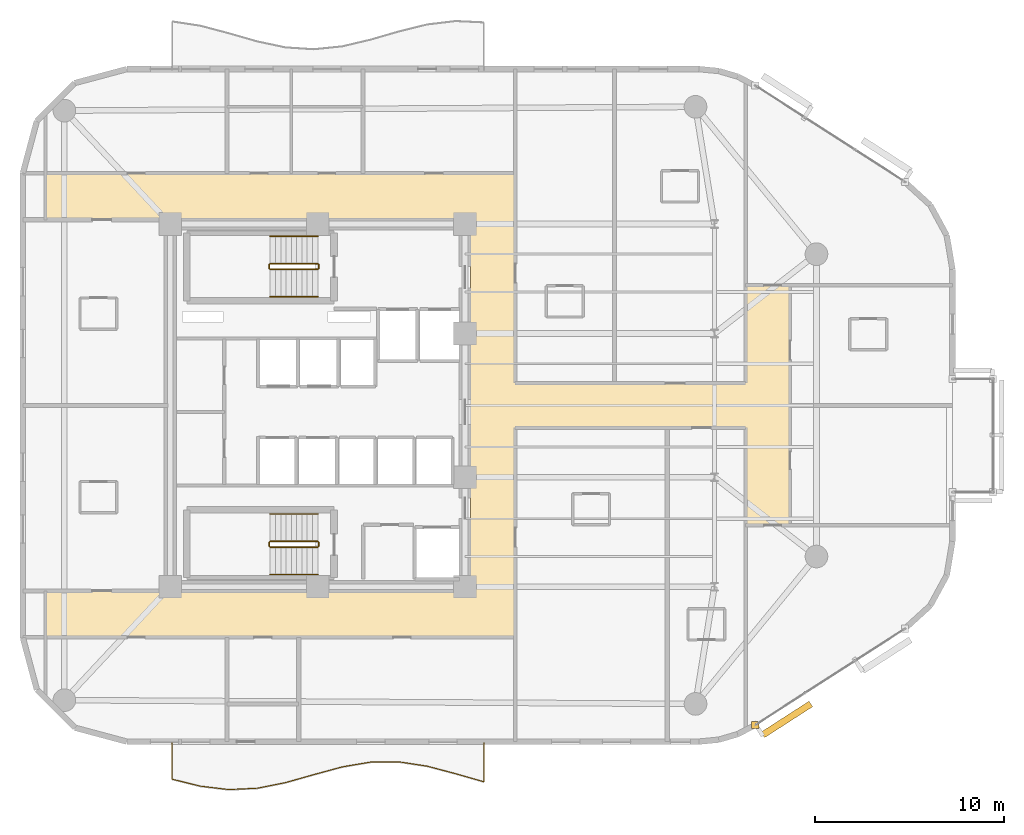
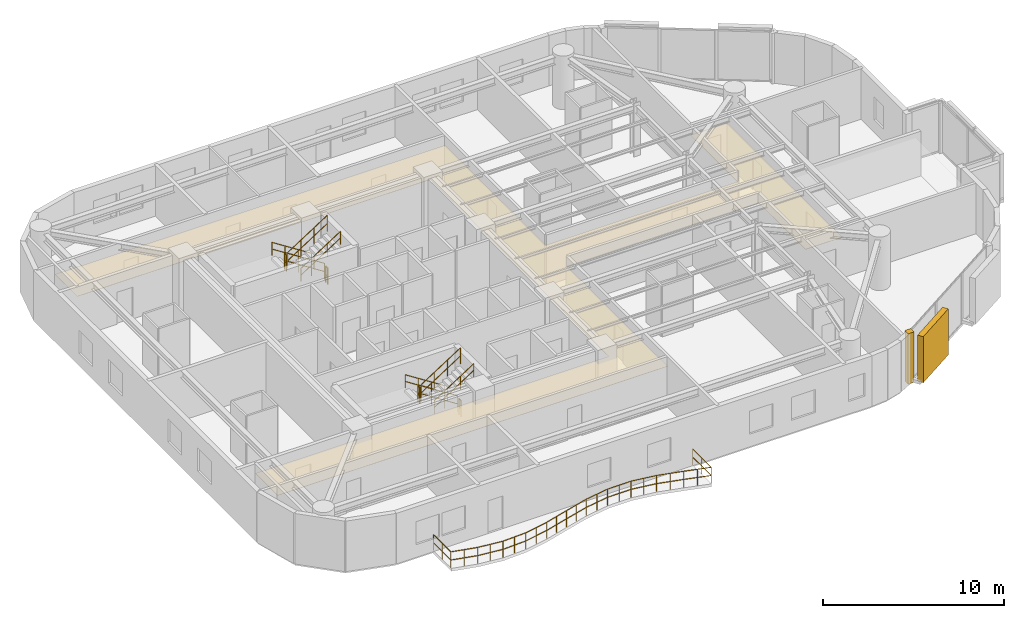
# One storey, part 15 of 16: 13 railings, 2 coverings, 1 shading device.
"""IFC4 building model written with IfcOpenShell, lengths in metres."""

from ifc_helpers import new_model, si_unit, direction, frame, origin, origin_2d, place, context, subcontext, project, spatial, polyline, rectangle, circle, outline, extrude, material, layer, layer_set, type_object, element, save


model = new_model("IFC4")

# Units and contexts
model_context = context("Model", 3, precision=1e-05, world=origin(), true_north=direction((0.0, 1.0)))
body_context = subcontext(model_context, "Body", "Model", "MODEL_VIEW")
ifc_project = project(units=[si_unit("LENGTHUNIT", "METRE"), si_unit("AREAUNIT", "SQUARE_METRE"), si_unit("VOLUMEUNIT", "CUBIC_METRE"), si_unit("PLANEANGLEUNIT", "RADIAN"), si_unit("MASSUNIT", "GRAM", prefix="KILO")], contexts=[model_context])

# Site, building, storey
site_placement = place(None, origin())
site = spatial("IfcSite", under=ifc_project, at=site_placement, CompositionType="ELEMENT")
building_placement = place(site_placement, origin())
building = spatial("IfcBuilding", under=site, at=building_placement, Name="An Khanh Terracotta Commons", CompositionType="ELEMENT")
storey_placement = place(building_placement, frame((0.0, 0.0, 151.0)))
storey = spatial("IfcBuildingStorey", under=building, at=storey_placement, Name="L39", CompositionType="ELEMENT", Elevation=151.0)

# Coverings
ifc_material_1 = material(Name="Perforated Mineral-Fibre Acoustic Tile")
ifc_layer_1 = layer(ifc_material_1, 0.02001953125, Name="Perforated Mineral-Fibre Acoustic Tile")
ifc_layer_set_1 = layer_set([ifc_layer_1], Name="Perforated Mineral-Fibre Acoustic Tile")
covering_type_1 = type_object("IfcCoveringType", Name="CEIL-ACOUSTIC-18", PredefinedType="CEILING", material=ifc_layer_set_1)
covering_1_placement = place(storey_placement, frame((0.0, 0.0, 2.64990234375)))
element("IfcCovering", 1, at=covering_1_placement, inside=storey, type_object=covering_type_1, Name="L39 Corridor Ceiling", PredefinedType="CEILING", context=body_context, shape_type="SweptSolid", body=[
    extrude(outline(polyline([(15.0, 11.719970703125), (15.0, 14.179931640625), (37.5, 14.179931640625), (37.5, 33.820068359375), (15.0, 33.820068359375), (15.0, 36.280029296875), (37.5, 36.280029296875), (39.85009765625, 36.280029296875), (39.85009765625, 33.820068359375), (39.85009765625, 25.179931640625), (52.050048828125, 25.179931640625), (52.050048828125, 30.35009765625), (54.39990234375, 30.35009765625), (54.39990234375, 25.179931640625), (54.39990234375, 22.820068359375), (54.39990234375, 17.64990234375), (52.050048828125, 17.64990234375), (52.050048828125, 22.820068359375), (39.85009765625, 22.820068359375), (39.85009765625, 14.179931640625), (39.85009765625, 11.719970703125), (37.5, 11.719970703125), (15.0, 11.719970703125)])), origin(), (0.0, 0.0, 1.0), 0.02001953125),
])
ifc_material_2 = material(Name="Fired Terracotta Rainscreen Cladding", Category="masonry")
ifc_layer_2 = layer(ifc_material_2, 0.080078125, Name="Fired Terracotta Rainscreen Cladding")
ifc_layer_set_2 = layer_set([ifc_layer_2], Name="Fired Terracotta Rainscreen Cladding")
covering_type_2 = type_object("IfcCoveringType", Name="COV-JAMB-TERRA", PredefinedType="CLADDING", material=ifc_layer_set_2)
covering_2_placement = place(storey_placement, frame((52.56005859375, 7.075927734375, 0.0), z_axis=(0.0, 0.0, 1.0), x_axis=(1.0, 0.0, 0.0)))
element("IfcCovering", 2, at=covering_2_placement, inside=storey, type_object=covering_type_2, Name="L39 CW-03 Curtain-Wall Jamb Closure JA", PredefinedType="CLADDING", context=body_context, shape_type="SweptSolid", body=[
    extrude(rectangle(XDim=0.3798828125, YDim=0.3798828125, at=origin_2d()), origin(), (0.0, 0.0, 1.0), 3.39990234375),
])

# Railings
ifc_material_3 = material(Name="Brushed Stainless Steel 316", Category="steel")
railing_type_1 = type_object("IfcRailingType", Name="RAIL-BALUSTRADE-1100", PredefinedType="BALUSTRADE", material=ifc_material_3)
railing_1_placement = place(storey_placement, frame((21.699951171875, 6.139892578125, 0.0)))
element("IfcRailing", 3, at=railing_1_placement, inside=storey, type_object=railing_type_1, Name="L39 S Wave Balcony Guard Balustrade", PredefinedType="BALUSTRADE", context=body_context, shape_type="SweptSolid", body=[
    extrude(circle(Radius=0.02392578125, at=origin_2d()), frame((0.0, 0.0, 1.076171875), z_axis=(0.0, -1.0, 0.0), x_axis=(1.0, 0.0, 0.0)), (0.0, 0.0, 1.0), 1.923828125),
    extrude(circle(Radius=0.02392578125, at=origin_2d()), frame((0.0, 0.0, 0.52587890625), z_axis=(0.0, -1.0, 0.0), x_axis=(1.0, 0.0, 0.0)), (0.0, 0.0, 1.0), 1.923828125),
    extrude(circle(Radius=0.02392578125, at=origin_2d()), frame((0.0, -1.923828125, 1.076171875), z_axis=(0.970881568768, -0.239559970419, 0.0), x_axis=(0.239559970419, 0.970881568768, 0.0)), (0.0, 0.0, 1.0), 1.544921875),
    extrude(circle(Radius=0.02392578125, at=origin_2d()), frame((0.0, -1.923828125, 0.52587890625), z_axis=(0.970881568768, -0.239559970419, 0.0), x_axis=(0.239559970419, 0.970881568768, 0.0)), (0.0, 0.0, 1.0), 1.544921875),
    extrude(circle(Radius=0.02392578125, at=origin_2d()), frame((1.5, -2.2939453125, 1.076171875), z_axis=(0.99288219023, -0.11910061429, 0.0), x_axis=(0.11910061429, 0.99288219023, 0.0)), (0.0, 0.0, 1.0), 1.5107421875),
    extrude(circle(Radius=0.02392578125, at=origin_2d()), frame((1.5, -2.2939453125, 0.52587890625), z_axis=(0.99288219023, -0.11910061429, 0.0), x_axis=(0.11910061429, 0.99288219023, 0.0)), (0.0, 0.0, 1.0), 1.5107421875),
    extrude(circle(Radius=0.02392578125, at=origin_2d()), frame((3.0, -2.473876953125, 1.076171875), z_axis=(0.998880243389, 0.047310245903, 0.0), x_axis=(-0.047310245903, 0.998880243389, 0.0)), (0.0, 0.0, 1.0), 1.501708984375),
    extrude(circle(Radius=0.02392578125, at=origin_2d()), frame((3.0, -2.473876953125, 0.52587890625), z_axis=(0.998880243389, 0.047310245903, 0.0), x_axis=(-0.047310245903, 0.998880243389, 0.0)), (0.0, 0.0, 1.0), 1.501708984375),
    extrude(circle(Radius=0.02392578125, at=origin_2d()), frame((4.5, -2.40283203125, 1.076171875), z_axis=(0.980849911242, 0.194765119094, 0.0), x_axis=(-0.194765119094, 0.980849911242, 0.0)), (0.0, 0.0, 1.0), 1.529296875),
    extrude(circle(Radius=0.02392578125, at=origin_2d()), frame((4.5, -2.40283203125, 0.52587890625), z_axis=(0.980849911242, 0.194765119094, 0.0), x_axis=(-0.194765119094, 0.980849911242, 0.0)), (0.0, 0.0, 1.0), 1.529296875),
    extrude(circle(Radius=0.02392578125, at=origin_2d()), frame((6.0, -2.10498046875, 1.076171875), z_axis=(0.962282666556, 0.272051593719, 0.0), x_axis=(-0.272051593719, 0.962282666556, 0.0)), (0.0, 0.0, 1.0), 1.558837890625),
    extrude(circle(Radius=0.02392578125, at=origin_2d()), frame((6.0, -2.10498046875, 0.52587890625), z_axis=(0.962282666556, 0.272051593719, 0.0), x_axis=(-0.272051593719, 0.962282666556, 0.0)), (0.0, 0.0, 1.0), 1.558837890625),
    extrude(circle(Radius=0.02392578125, at=origin_2d()), frame((7.5, -1.680908203125, 1.076171875), z_axis=(0.964948425307, 0.262439586375, 0.0), x_axis=(-0.262439586375, 0.964948425307, 0.0)), (0.0, 0.0, 1.0), 1.554443359375),
    extrude(circle(Radius=0.02392578125, at=origin_2d()), frame((7.5, -1.680908203125, 0.52587890625), z_axis=(0.964948425307, 0.262439586375, 0.0), x_axis=(-0.262439586375, 0.964948425307, 0.0)), (0.0, 0.0, 1.0), 1.554443359375),
    extrude(circle(Radius=0.02392578125, at=origin_2d()), frame((9.0, -1.27294921875, 1.076171875), z_axis=(0.986053503704, 0.166428626846, 0.0), x_axis=(-0.166428626846, 0.986053503704, 0.0)), (0.0, 0.0, 1.0), 1.521240234375),
    extrude(circle(Radius=0.02392578125, at=origin_2d()), frame((9.0, -1.27294921875, 0.52587890625), z_axis=(0.986053503704, 0.166428626846, 0.0), x_axis=(-0.166428626846, 0.986053503704, 0.0)), (0.0, 0.0, 1.0), 1.521240234375),
    extrude(circle(Radius=0.02392578125, at=origin_2d()), frame((10.5, -1.019775390625, 1.076171875), z_axis=(0.999956968224, 0.009276944529, 0.0), x_axis=(-0.009276944529, 0.999956968224, 0.0)), (0.0, 0.0, 1.0), 1.5),
    extrude(circle(Radius=0.02392578125, at=origin_2d()), frame((10.5, -1.019775390625, 0.52587890625), z_axis=(0.999956968224, 0.009276944529, 0.0), x_axis=(-0.009276944529, 0.999956968224, 0.0)), (0.0, 0.0, 1.0), 1.5),
    extrude(circle(Radius=0.02392578125, at=origin_2d()), frame((12.0, -1.005859375, 1.076171875), z_axis=(0.988545890906, -0.15092058035, 0.0), x_axis=(0.15092058035, 0.988545890906, 0.0)), (0.0, 0.0, 1.0), 1.517333984375),
    extrude(circle(Radius=0.02392578125, at=origin_2d()), frame((12.0, -1.005859375, 0.52587890625), z_axis=(0.988545890906, -0.15092058035, 0.0), x_axis=(0.15092058035, 0.988545890906, 0.0)), (0.0, 0.0, 1.0), 1.517333984375),
    extrude(circle(Radius=0.02392578125, at=origin_2d()), frame((13.5, -1.23486328125, 1.076171875), z_axis=(0.966718963822, -0.255840663277, 0.0), x_axis=(0.255840663277, 0.966718963822, 0.0)), (0.0, 0.0, 1.0), 1.5517578125),
    extrude(circle(Radius=0.02392578125, at=origin_2d()), frame((13.5, -1.23486328125, 0.52587890625), z_axis=(0.966718963822, -0.255840663277, 0.0), x_axis=(0.255840663277, 0.966718963822, 0.0)), (0.0, 0.0, 1.0), 1.5517578125),
    extrude(circle(Radius=0.02392578125, at=origin_2d()), frame((15.0, -1.6318359375, 1.076171875), z_axis=(0.961251897699, -0.275671524047, 0.0), x_axis=(0.275671524047, 0.961251897699, 0.0)), (0.0, 0.0, 1.0), 1.560546875),
    extrude(circle(Radius=0.02392578125, at=origin_2d()), frame((15.0, -1.6318359375, 0.52587890625), z_axis=(0.961251897699, -0.275671524047, 0.0), x_axis=(0.275671524047, 0.961251897699, 0.0)), (0.0, 0.0, 1.0), 1.560546875),
    extrude(circle(Radius=0.02392578125, at=origin_2d()), frame((16.5, -2.06201171875, 1.076171875), z_axis=(0.0, 1.0, 0.0), x_axis=(-1.0, 0.0, 0.0)), (0.0, 0.0, 1.0), 2.06201171875),
    extrude(circle(Radius=0.02392578125, at=origin_2d()), frame((16.5, -2.06201171875, 0.52587890625), z_axis=(0.0, 1.0, 0.0), x_axis=(-1.0, 0.0, 0.0)), (0.0, 0.0, 1.0), 2.06201171875),
    extrude(circle(Radius=0.02099609375, at=origin_2d()), origin(), (0.0, 0.0, 1.0), 1.052001953125),
    extrude(circle(Radius=0.02099609375, at=origin_2d()), frame((0.0, -0.9619140625, 0.0)), (0.0, 0.0, 1.0), 1.052001953125),
    extrude(circle(Radius=0.02099609375, at=origin_2d()), frame((0.0, -1.923828125, 0.0)), (0.0, 0.0, 1.0), 1.052001953125),
    extrude(circle(Radius=0.02099609375, at=origin_2d()), frame((0.75, -2.10888671875, 0.0)), (0.0, 0.0, 1.0), 1.052001953125),
    extrude(circle(Radius=0.02099609375, at=origin_2d()), frame((1.5, -2.2939453125, 0.0)), (0.0, 0.0, 1.0), 1.052001953125),
    extrude(circle(Radius=0.02099609375, at=origin_2d()), frame((2.25, -2.3837890625, 0.0)), (0.0, 0.0, 1.0), 1.052001953125),
    extrude(circle(Radius=0.02099609375, at=origin_2d()), frame((3.0, -2.473876953125, 0.0)), (0.0, 0.0, 1.0), 1.052001953125),
    extrude(circle(Radius=0.02099609375, at=origin_2d()), frame((3.75, -2.4384765625, 0.0)), (0.0, 0.0, 1.0), 1.052001953125),
    extrude(circle(Radius=0.02099609375, at=origin_2d()), frame((4.5, -2.40283203125, 0.0)), (0.0, 0.0, 1.0), 1.052001953125),
    extrude(circle(Radius=0.02099609375, at=origin_2d()), frame((5.25, -2.25390625, 0.0)), (0.0, 0.0, 1.0), 1.052001953125),
    extrude(circle(Radius=0.02099609375, at=origin_2d()), frame((6.0, -2.10498046875, 0.0)), (0.0, 0.0, 1.0), 1.052001953125),
    extrude(circle(Radius=0.02099609375, at=origin_2d()), frame((6.75, -1.89306640625, 0.0)), (0.0, 0.0, 1.0), 1.052001953125),
    extrude(circle(Radius=0.02099609375, at=origin_2d()), frame((7.5, -1.680908203125, 0.0)), (0.0, 0.0, 1.0), 1.052001953125),
    extrude(circle(Radius=0.02099609375, at=origin_2d()), frame((8.25, -1.47705078125, 0.0)), (0.0, 0.0, 1.0), 1.052001953125),
    extrude(circle(Radius=0.02099609375, at=origin_2d()), frame((9.0, -1.27294921875, 0.0)), (0.0, 0.0, 1.0), 1.052001953125),
    extrude(circle(Radius=0.02099609375, at=origin_2d()), frame((9.75, -1.146484375, 0.0)), (0.0, 0.0, 1.0), 1.052001953125),
    extrude(circle(Radius=0.02099609375, at=origin_2d()), frame((10.5, -1.019775390625, 0.0)), (0.0, 0.0, 1.0), 1.052001953125),
    extrude(circle(Radius=0.02099609375, at=origin_2d()), frame((11.25, -1.0126953125, 0.0)), (0.0, 0.0, 1.0), 1.052001953125),
    extrude(circle(Radius=0.02099609375, at=origin_2d()), frame((12.0, -1.005859375, 0.0)), (0.0, 0.0, 1.0), 1.052001953125),
    extrude(circle(Radius=0.02099609375, at=origin_2d()), frame((12.75, -1.120361328125, 0.0)), (0.0, 0.0, 1.0), 1.052001953125),
    extrude(circle(Radius=0.02099609375, at=origin_2d()), frame((13.5, -1.23486328125, 0.0)), (0.0, 0.0, 1.0), 1.052001953125),
    extrude(circle(Radius=0.02099609375, at=origin_2d()), frame((14.25, -1.433349609375, 0.0)), (0.0, 0.0, 1.0), 1.052001953125),
    extrude(circle(Radius=0.02099609375, at=origin_2d()), frame((15.0, -1.6318359375, 0.0)), (0.0, 0.0, 1.0), 1.052001953125),
    extrude(circle(Radius=0.02099609375, at=origin_2d()), frame((15.75, -1.846923828125, 0.0)), (0.0, 0.0, 1.0), 1.052001953125),
    extrude(circle(Radius=0.02099609375, at=origin_2d()), frame((16.5, -2.06201171875, 0.0)), (0.0, 0.0, 1.0), 1.052001953125),
    extrude(circle(Radius=0.02099609375, at=origin_2d()), frame((16.5, -1.031005859375, 0.0)), (0.0, 0.0, 1.0), 1.052001953125),
    extrude(circle(Radius=0.02099609375, at=origin_2d()), frame((16.5, 0.0, 0.0)), (0.0, 0.0, 1.0), 1.052001953125),
])
railing_type_2 = type_object("IfcRailingType", Name="RAIL-HANDRAIL-900", PredefinedType="HANDRAIL", material=ifc_material_3)
railing_2_placement = place(storey_placement, frame((29.409912109375, 32.949951171875, 0.179931640625)))
element("IfcRailing", 4, at=railing_2_placement, inside=storey, type_object=railing_type_2, Name="L39 ST-01 stair handrail 1", PredefinedType="HANDRAIL", context=body_context, shape_type="SweptSolid", body=[
    extrude(circle(Radius=0.02392578125, at=origin_2d()), frame((0.0, 0.0, 0.8759765625), z_axis=(-0.841162588446, 0.0, 0.540782303519), x_axis=(0.0, -1.0, 0.0)), (0.0, 0.0, 1.0), 2.995849609375),
    extrude(circle(Radius=0.02392578125, at=origin_2d()), frame((0.0, 0.0, 0.42578125), z_axis=(-0.841162588446, 0.0, 0.540782303519), x_axis=(0.0, -1.0, 0.0)), (0.0, 0.0, 1.0), 2.995849609375),
    extrude(circle(Radius=0.02099609375, at=origin_2d()), origin(), (0.0, 0.0, 1.0), 0.851806640625),
    extrude(circle(Radius=0.02099609375, at=origin_2d()), frame((-0.840087890625, 0.0, 0.5400390625)), (0.0, 0.0, 1.0), 0.851806640625),
    extrude(circle(Radius=0.02099609375, at=origin_2d()), frame((-1.679931640625, 0.0, 1.080078125)), (0.0, 0.0, 1.0), 0.851806640625),
    extrude(circle(Radius=0.02099609375, at=origin_2d()), frame((-2.52001953125, 0.0, 1.6201171875)), (0.0, 0.0, 1.0), 0.851806640625),
])
railing_3_placement = place(storey_placement, frame((26.889892578125, 29.75, 1.97998046875)))
element("IfcRailing", 5, at=railing_3_placement, inside=storey, type_object=railing_type_2, Name="L39 ST-01 stair handrail 2", PredefinedType="HANDRAIL", context=body_context, shape_type="SweptSolid", body=[
    extrude(circle(Radius=0.02392578125, at=origin_2d()), frame((0.0, 0.0, 0.8759765625), z_axis=(0.841162588446, 0.0, 0.540782303519), x_axis=(0.0, 1.0, 0.0)), (0.0, 0.0, 1.0), 2.995849609375),
    extrude(circle(Radius=0.02392578125, at=origin_2d()), frame((0.0, 0.0, 0.42578125), z_axis=(0.841162588446, 0.0, 0.540782303519), x_axis=(0.0, 1.0, 0.0)), (0.0, 0.0, 1.0), 2.995849609375),
    extrude(circle(Radius=0.02099609375, at=origin_2d()), origin(), (0.0, 0.0, 1.0), 0.851806640625),
    extrude(circle(Radius=0.02099609375, at=origin_2d()), frame((0.840087890625, 0.0, 0.5400390625)), (0.0, 0.0, 1.0), 0.851806640625),
    extrude(circle(Radius=0.02099609375, at=origin_2d()), frame((1.679931640625, 0.0, 1.080078125)), (0.0, 0.0, 1.0), 0.851806640625),
    extrude(circle(Radius=0.02099609375, at=origin_2d()), frame((2.52001953125, 0.0, 1.6201171875)), (0.0, 0.0, 1.0), 0.851806640625),
])
railing_4_placement = place(storey_placement, frame((29.409912109375, 18.25, 0.179931640625)))
element("IfcRailing", 6, at=railing_4_placement, inside=storey, type_object=railing_type_2, Name="L39 ST-02 stair handrail 1", PredefinedType="HANDRAIL", context=body_context, shape_type="SweptSolid", body=[
    extrude(circle(Radius=0.02392578125, at=origin_2d()), frame((0.0, 0.0, 0.8759765625), z_axis=(-0.841162588446, 0.0, 0.540782303519), x_axis=(0.0, -1.0, 0.0)), (0.0, 0.0, 1.0), 2.995849609375),
    extrude(circle(Radius=0.02392578125, at=origin_2d()), frame((0.0, 0.0, 0.42578125), z_axis=(-0.841162588446, 0.0, 0.540782303519), x_axis=(0.0, -1.0, 0.0)), (0.0, 0.0, 1.0), 2.995849609375),
    extrude(circle(Radius=0.02099609375, at=origin_2d()), origin(), (0.0, 0.0, 1.0), 0.851806640625),
    extrude(circle(Radius=0.02099609375, at=origin_2d()), frame((-0.840087890625, 0.0, 0.5400390625)), (0.0, 0.0, 1.0), 0.851806640625),
    extrude(circle(Radius=0.02099609375, at=origin_2d()), frame((-1.679931640625, 0.0, 1.080078125)), (0.0, 0.0, 1.0), 0.851806640625),
    extrude(circle(Radius=0.02099609375, at=origin_2d()), frame((-2.52001953125, 0.0, 1.6201171875)), (0.0, 0.0, 1.0), 0.851806640625),
])
railing_5_placement = place(storey_placement, frame((26.889892578125, 15.050048828125, 1.97998046875)))
element("IfcRailing", 7, at=railing_5_placement, inside=storey, type_object=railing_type_2, Name="L39 ST-02 stair handrail 2", PredefinedType="HANDRAIL", context=body_context, shape_type="SweptSolid", body=[
    extrude(circle(Radius=0.02392578125, at=origin_2d()), frame((0.0, 0.0, 0.8759765625), z_axis=(0.841162588446, 0.0, 0.540782303519), x_axis=(0.0, 1.0, 0.0)), (0.0, 0.0, 1.0), 2.995849609375),
    extrude(circle(Radius=0.02392578125, at=origin_2d()), frame((0.0, 0.0, 0.42578125), z_axis=(0.841162588446, 0.0, 0.540782303519), x_axis=(0.0, 1.0, 0.0)), (0.0, 0.0, 1.0), 2.995849609375),
    extrude(circle(Radius=0.02099609375, at=origin_2d()), origin(), (0.0, 0.0, 1.0), 0.851806640625),
    extrude(circle(Radius=0.02099609375, at=origin_2d()), frame((0.840087890625, 0.0, 0.5400390625)), (0.0, 0.0, 1.0), 0.851806640625),
    extrude(circle(Radius=0.02099609375, at=origin_2d()), frame((1.679931640625, 0.0, 1.080078125)), (0.0, 0.0, 1.0), 0.851806640625),
    extrude(circle(Radius=0.02099609375, at=origin_2d()), frame((2.52001953125, 0.0, 1.6201171875)), (0.0, 0.0, 1.0), 0.851806640625),
])
ifc_material_4 = material(Name="Powder-Coated Steel S355J2", Category="steel")
railing_type_3 = type_object("IfcRailingType", Name="RAIL-STAIR-GUARD-1100", PredefinedType="BALUSTRADE", material=ifc_material_4)
railing_6_placement = place(storey_placement, frame((29.409912109375, 31.5, 0.179931640625)))
element("IfcRailing", 8, at=railing_6_placement, inside=storey, type_object=railing_type_3, Name="L39 ST-01 stair guard 1", PredefinedType="BALUSTRADE", context=body_context, shape_type="SweptSolid", body=[
    extrude(circle(Radius=0.02392578125, at=origin_2d()), frame((0.0, 0.0, 1.076171875), z_axis=(-0.841162588446, 0.0, 0.540782303519), x_axis=(0.0, -1.0, 0.0)), (0.0, 0.0, 1.0), 2.995849609375),
    extrude(circle(Radius=0.02392578125, at=origin_2d()), frame((0.0, 0.0, 0.52587890625), z_axis=(-0.841162588446, 0.0, 0.540782303519), x_axis=(0.0, -1.0, 0.0)), (0.0, 0.0, 1.0), 2.995849609375),
    extrude(circle(Radius=0.02099609375, at=origin_2d()), origin(), (0.0, 0.0, 1.0), 1.052001953125),
    extrude(circle(Radius=0.02099609375, at=origin_2d()), frame((-0.840087890625, 0.0, 0.5400390625)), (0.0, 0.0, 1.0), 1.052001953125),
    extrude(circle(Radius=0.02099609375, at=origin_2d()), frame((-1.679931640625, 0.0, 1.080078125)), (0.0, 0.0, 1.0), 1.052001953125),
    extrude(circle(Radius=0.02099609375, at=origin_2d()), frame((-2.52001953125, 0.0, 1.6201171875)), (0.0, 0.0, 1.0), 1.052001953125),
])
railing_7_placement = place(storey_placement, frame((26.840087890625, 31.449951171875, 1.800048828125)))
element("IfcRailing", 9, at=railing_7_placement, inside=storey, type_object=railing_type_3, Name="L39 ST-01 stair guard 2", PredefinedType="BALUSTRADE", context=body_context, shape_type="SweptSolid", body=[
    extrude(circle(Radius=0.02392578125, at=origin_2d()), frame((0.0, 0.0, 1.076171875), z_axis=(0.0, -1.0, 0.0), x_axis=(1.0, 0.0, 0.0)), (0.0, 0.0, 1.0), 0.199951171875),
    extrude(circle(Radius=0.02392578125, at=origin_2d()), frame((0.0, 0.0, 0.52587890625), z_axis=(0.0, -1.0, 0.0), x_axis=(1.0, 0.0, 0.0)), (0.0, 0.0, 1.0), 0.199951171875),
    extrude(circle(Radius=0.02099609375, at=origin_2d()), origin(), (0.0, 0.0, 1.0), 1.052001953125),
    extrude(circle(Radius=0.02099609375, at=origin_2d()), frame((0.0, -0.199951171875, 0.0)), (0.0, 0.0, 1.0), 1.052001953125),
])
railing_8_placement = place(storey_placement, frame((26.889892578125, 31.199951171875, 1.97998046875)))
element("IfcRailing", 10, at=railing_8_placement, inside=storey, type_object=railing_type_3, Name="L39 ST-01 stair guard 3", PredefinedType="BALUSTRADE", context=body_context, shape_type="SweptSolid", body=[
    extrude(circle(Radius=0.02392578125, at=origin_2d()), frame((0.0, 0.0, 1.076171875), z_axis=(0.841162588446, 0.0, 0.540782303519), x_axis=(0.0, 1.0, 0.0)), (0.0, 0.0, 1.0), 2.995849609375),
    extrude(circle(Radius=0.02392578125, at=origin_2d()), frame((0.0, 0.0, 0.52587890625), z_axis=(0.841162588446, 0.0, 0.540782303519), x_axis=(0.0, 1.0, 0.0)), (0.0, 0.0, 1.0), 2.995849609375),
    extrude(circle(Radius=0.02099609375, at=origin_2d()), origin(), (0.0, 0.0, 1.0), 1.052001953125),
    extrude(circle(Radius=0.02099609375, at=origin_2d()), frame((0.840087890625, 0.0, 0.5400390625)), (0.0, 0.0, 1.0), 1.052001953125),
    extrude(circle(Radius=0.02099609375, at=origin_2d()), frame((1.679931640625, 0.0, 1.080078125)), (0.0, 0.0, 1.0), 1.052001953125),
    extrude(circle(Radius=0.02099609375, at=origin_2d()), frame((2.52001953125, 0.0, 1.6201171875)), (0.0, 0.0, 1.0), 1.052001953125),
])
railing_9_placement = place(storey_placement, frame((29.4599609375, 31.449951171875, 0.0)))
element("IfcRailing", 11, at=railing_9_placement, inside=storey, type_object=railing_type_3, Name="L39 ST-01 stair guard 4", PredefinedType="BALUSTRADE", context=body_context, shape_type="SweptSolid", body=[
    extrude(circle(Radius=0.02392578125, at=origin_2d()), frame((0.0, 0.0, 1.076171875), z_axis=(0.0, -1.0, 0.0), x_axis=(1.0, 0.0, 0.0)), (0.0, 0.0, 1.0), 0.199951171875),
    extrude(circle(Radius=0.02392578125, at=origin_2d()), frame((0.0, 0.0, 0.52587890625), z_axis=(0.0, -1.0, 0.0), x_axis=(1.0, 0.0, 0.0)), (0.0, 0.0, 1.0), 0.199951171875),
    extrude(circle(Radius=0.02099609375, at=origin_2d()), origin(), (0.0, 0.0, 1.0), 1.052001953125),
    extrude(circle(Radius=0.02099609375, at=origin_2d()), frame((0.0, -0.199951171875, 0.0)), (0.0, 0.0, 1.0), 1.052001953125),
])
railing_10_placement = place(storey_placement, frame((29.409912109375, 16.800048828125, 0.179931640625)))
element("IfcRailing", 12, at=railing_10_placement, inside=storey, type_object=railing_type_3, Name="L39 ST-02 stair guard 1", PredefinedType="BALUSTRADE", context=body_context, shape_type="SweptSolid", body=[
    extrude(circle(Radius=0.02392578125, at=origin_2d()), frame((0.0, 0.0, 1.076171875), z_axis=(-0.841162588446, 0.0, 0.540782303519), x_axis=(0.0, -1.0, 0.0)), (0.0, 0.0, 1.0), 2.995849609375),
    extrude(circle(Radius=0.02392578125, at=origin_2d()), frame((0.0, 0.0, 0.52587890625), z_axis=(-0.841162588446, 0.0, 0.540782303519), x_axis=(0.0, -1.0, 0.0)), (0.0, 0.0, 1.0), 2.995849609375),
    extrude(circle(Radius=0.02099609375, at=origin_2d()), origin(), (0.0, 0.0, 1.0), 1.052001953125),
    extrude(circle(Radius=0.02099609375, at=origin_2d()), frame((-0.840087890625, 0.0, 0.5400390625)), (0.0, 0.0, 1.0), 1.052001953125),
    extrude(circle(Radius=0.02099609375, at=origin_2d()), frame((-1.679931640625, 0.0, 1.080078125)), (0.0, 0.0, 1.0), 1.052001953125),
    extrude(circle(Radius=0.02099609375, at=origin_2d()), frame((-2.52001953125, 0.0, 1.6201171875)), (0.0, 0.0, 1.0), 1.052001953125),
])
railing_11_placement = place(storey_placement, frame((26.840087890625, 16.75, 1.800048828125)))
element("IfcRailing", 13, at=railing_11_placement, inside=storey, type_object=railing_type_3, Name="L39 ST-02 stair guard 2", PredefinedType="BALUSTRADE", context=body_context, shape_type="SweptSolid", body=[
    extrude(circle(Radius=0.02392578125, at=origin_2d()), frame((0.0, 0.0, 1.076171875), z_axis=(0.0, -1.0, 0.0), x_axis=(1.0, 0.0, 0.0)), (0.0, 0.0, 1.0), 0.199951171875),
    extrude(circle(Radius=0.02392578125, at=origin_2d()), frame((0.0, 0.0, 0.52587890625), z_axis=(0.0, -1.0, 0.0), x_axis=(1.0, 0.0, 0.0)), (0.0, 0.0, 1.0), 0.199951171875),
    extrude(circle(Radius=0.02099609375, at=origin_2d()), origin(), (0.0, 0.0, 1.0), 1.052001953125),
    extrude(circle(Radius=0.02099609375, at=origin_2d()), frame((0.0, -0.199951171875, 0.0)), (0.0, 0.0, 1.0), 1.052001953125),
])
railing_12_placement = place(storey_placement, frame((26.889892578125, 16.5, 1.97998046875)))
element("IfcRailing", 14, at=railing_12_placement, inside=storey, type_object=railing_type_3, Name="L39 ST-02 stair guard 3", PredefinedType="BALUSTRADE", context=body_context, shape_type="SweptSolid", body=[
    extrude(circle(Radius=0.02392578125, at=origin_2d()), frame((0.0, 0.0, 1.076171875), z_axis=(0.841162588446, 0.0, 0.540782303519), x_axis=(0.0, 1.0, 0.0)), (0.0, 0.0, 1.0), 2.995849609375),
    extrude(circle(Radius=0.02392578125, at=origin_2d()), frame((0.0, 0.0, 0.52587890625), z_axis=(0.841162588446, 0.0, 0.540782303519), x_axis=(0.0, 1.0, 0.0)), (0.0, 0.0, 1.0), 2.995849609375),
    extrude(circle(Radius=0.02099609375, at=origin_2d()), origin(), (0.0, 0.0, 1.0), 1.052001953125),
    extrude(circle(Radius=0.02099609375, at=origin_2d()), frame((0.840087890625, 0.0, 0.5400390625)), (0.0, 0.0, 1.0), 1.052001953125),
    extrude(circle(Radius=0.02099609375, at=origin_2d()), frame((1.679931640625, 0.0, 1.080078125)), (0.0, 0.0, 1.0), 1.052001953125),
    extrude(circle(Radius=0.02099609375, at=origin_2d()), frame((2.52001953125, 0.0, 1.6201171875)), (0.0, 0.0, 1.0), 1.052001953125),
])
railing_13_placement = place(storey_placement, frame((29.4599609375, 16.75, 0.0)))
element("IfcRailing", 15, at=railing_13_placement, inside=storey, type_object=railing_type_3, Name="L39 ST-02 stair guard 4", PredefinedType="BALUSTRADE", context=body_context, shape_type="SweptSolid", body=[
    extrude(circle(Radius=0.02392578125, at=origin_2d()), frame((0.0, 0.0, 1.076171875), z_axis=(0.0, -1.0, 0.0), x_axis=(1.0, 0.0, 0.0)), (0.0, 0.0, 1.0), 0.199951171875),
    extrude(circle(Radius=0.02392578125, at=origin_2d()), frame((0.0, 0.0, 0.52587890625), z_axis=(0.0, -1.0, 0.0), x_axis=(1.0, 0.0, 0.0)), (0.0, 0.0, 1.0), 0.199951171875),
    extrude(circle(Radius=0.02099609375, at=origin_2d()), origin(), (0.0, 0.0, 1.0), 1.052001953125),
    extrude(circle(Radius=0.02099609375, at=origin_2d()), frame((0.0, -0.199951171875, 0.0)), (0.0, 0.0, 1.0), 1.052001953125),
])

# Shading device
ifc_material_5 = material(Name="Extruded Fired Terracotta", Category="masonry")
shading_device_type = type_object("IfcShadingDeviceType", Name="Terracotta Baguette Screen Assembly", PredefinedType="USERDEFINED", material=ifc_material_5)
shading_device_placement = place(storey_placement, frame((54.23193359375, 7.3798828125, 0.14990234375), z_axis=(0.0, 0.0, 1.0), x_axis=(0.840702081986, 0.541497931062, 0.0)))
element("IfcShadingDevice", 16, at=shading_device_placement, inside=storey, type_object=shading_device_type, Name="L39 Terracotta Baguette Screen 1", ObjectType="BAGUETTE", PredefinedType="USERDEFINED", context=body_context, shape_type="SweptSolid", body=[
    extrude(rectangle(XDim=3.01904296875, YDim=0.35009765625, at=origin_2d()), origin(), (0.0, 0.0, 1.0), 3.10009765625),
])

save(model, "model.ifc")
